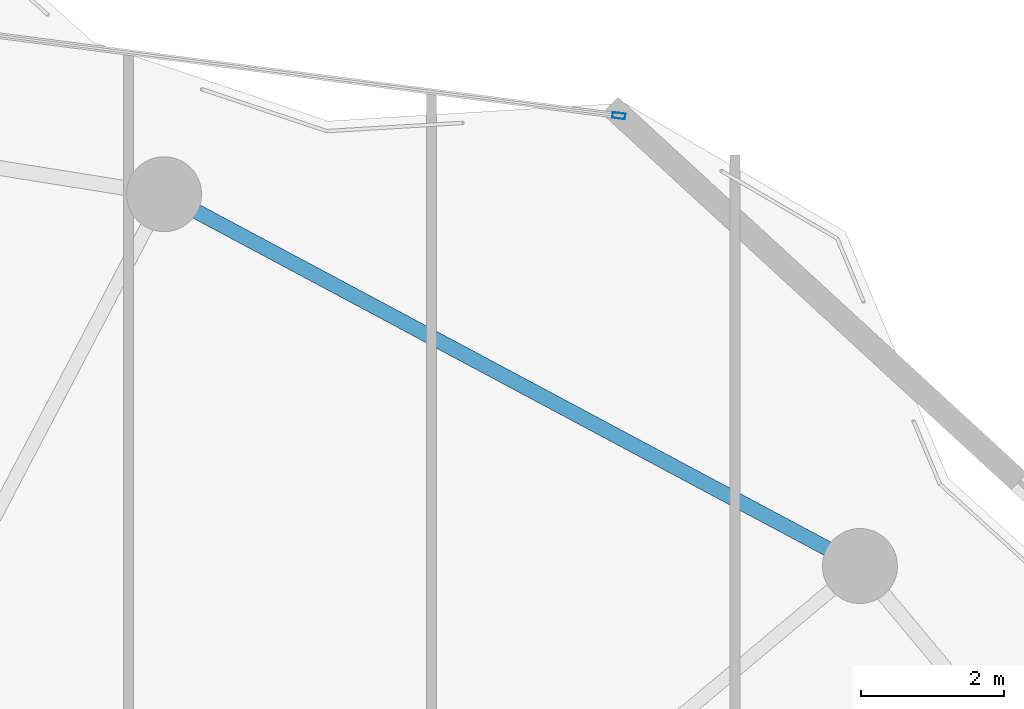
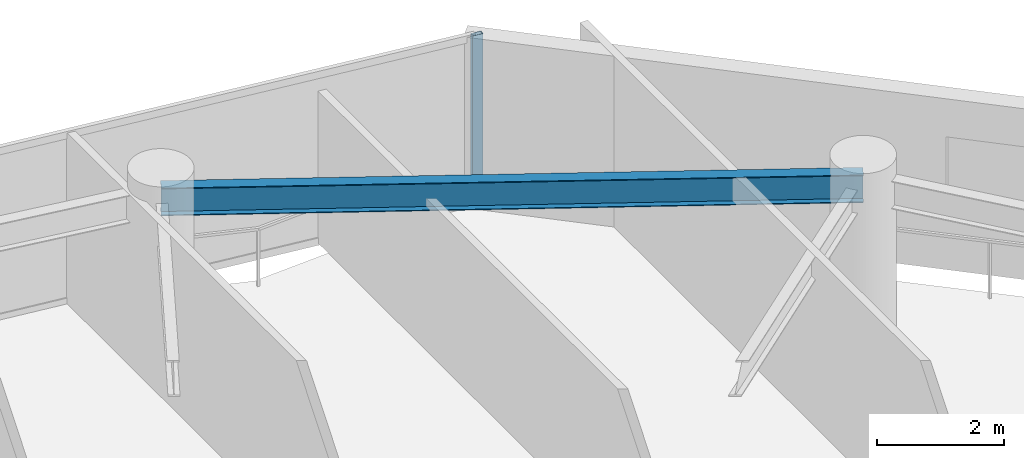
# One storey, part 23 of 31: 1 beam, 1 member, 1 element without a shape of its own.
"""IFC4 building model written with IfcOpenShell, lengths in metres."""

from ifc_helpers import new_model, si_unit, direction, frame, origin, origin_2d, place, context, subcontext, project, spatial, hollow_rectangle, i_section, extrude, material, layer, layer_set, material_profile, profile_set, type_object, element, aggregate, save


model = new_model("IFC4")

# Units and contexts
model_context = context("Model", 3, precision=1e-05, world=origin(), true_north=direction((0.0, 1.0)))
body_context = subcontext(model_context, "Body", "Model", "MODEL_VIEW")
ifc_project = project(units=[si_unit("LENGTHUNIT", "METRE"), si_unit("AREAUNIT", "SQUARE_METRE"), si_unit("VOLUMEUNIT", "CUBIC_METRE"), si_unit("PLANEANGLEUNIT", "RADIAN"), si_unit("MASSUNIT", "GRAM", prefix="KILO")], contexts=[model_context])

# Site, building, storey
site_placement = place(None, origin())
site = spatial("IfcSite", under=ifc_project, at=site_placement, CompositionType="ELEMENT")
building_placement = place(site_placement, origin())
building = spatial("IfcBuilding", under=site, at=building_placement, Name="Kazevale Care Tower and Concert Hall", CompositionType="ELEMENT")
storey_placement = place(building_placement, frame((0.0, 0.0, 187.199951171875)))
storey = spatial("IfcBuildingStorey", under=building, at=storey_placement, Name="L49", CompositionType="ELEMENT", Elevation=187.199951171875)

# Curtain wall, member
ifc_material_1 = material(Name="Aluminium 6063-T6 and Low-E Glass", Category="aluminium")
ifc_layer = layer(ifc_material_1, 0.179931640625)
ifc_layer_set = layer_set([ifc_layer], Name="Aluminium 6063-T6 and Low-E Glass")
curtain_wall_type = type_object("IfcCurtainWallType", Name="Waist & Upper Residential Curtain Wall CW-4", PredefinedType="NOTDEFINED", material=ifc_layer_set)
curtain_wall_placement = place(storey_placement, origin())
curtain_wall = element("IfcCurtainWall", 1, at=curtain_wall_placement, inside=storey, type_object=curtain_wall_type, Name="cw:L49:f16", PredefinedType="NOTDEFINED")
ifc_material_2 = material(Name="Aluminium 6063-T6", Category="aluminium")
ifc_material_profile_1 = material_profile(ifc_material_2, hollow_rectangle(XDim=0.080078125, YDim=0.179931640625, WallThickness=0.0048828125, at=origin_2d()), Name="ALU80x180x5")
ifc_profile_set_1 = profile_set([ifc_material_profile_1], Name="Aluminium 6063-T6")
member_type = type_object("IfcMemberType", Name="CW-4 Mullion ALU80x180x5", PredefinedType="MULLION", material=ifc_profile_set_1)
member_placement = place(storey_placement, frame((62.873291015625, 61.319091796875, 0.0), z_axis=(0.0, 0.0, 1.0), x_axis=(0.128098132904, 0.991761497713, 0.0)))
member = element("IfcMember", 2, at=member_placement, type_object=member_type, Name="CW-4 mullion 2", PredefinedType="MULLION", context=body_context, shape_type="SweptSolid", body=[
    extrude(hollow_rectangle(XDim=0.080078125, YDim=0.179931640625, WallThickness=0.0048828125, at=origin_2d()), origin(), (0.0, 0.0, 1.0), 3.280029296875),
])
aggregate(curtain_wall, [member])

# Beam
ifc_material_3 = material(Name="Steel ASTM A572 Gr 50", Category="steel")
ifc_material_profile_2 = material_profile(ifc_material_3, i_section(OverallWidth=0.208984375, OverallDepth=0.532958984375, WebThickness=0.01025390625, FlangeThickness=0.015625, at=origin_2d()), Name="W530x92")
ifc_profile_set_2 = profile_set([ifc_material_profile_2], Name="Steel ASTM A572 Gr 50")
beam_type = type_object("IfcBeamType", Name="Upper Ring Beam W530x92", PredefinedType="BEAM", material=ifc_profile_set_2)
beam_placement = place(storey_placement, frame((66.25, 55.010009765625, 3.013427734375), z_axis=(-0.881978519833, 0.471289603697, 0.0), x_axis=(-0.471289603697, -0.881978519833, 0.0)))
element("IfcBeam", 3, at=beam_placement, inside=storey, type_object=beam_type, Name="beam:L49:ring:03", PredefinedType="BEAM", context=body_context, shape_type="SweptSolid", body=[
    extrude(i_section(OverallWidth=0.208984375, OverallDepth=0.532958984375, WebThickness=0.01025390625, FlangeThickness=0.015625, at=origin_2d()), origin(), (0.0, 0.0, 1.0), 11.0546875),
])

save(model, "model.ifc")
